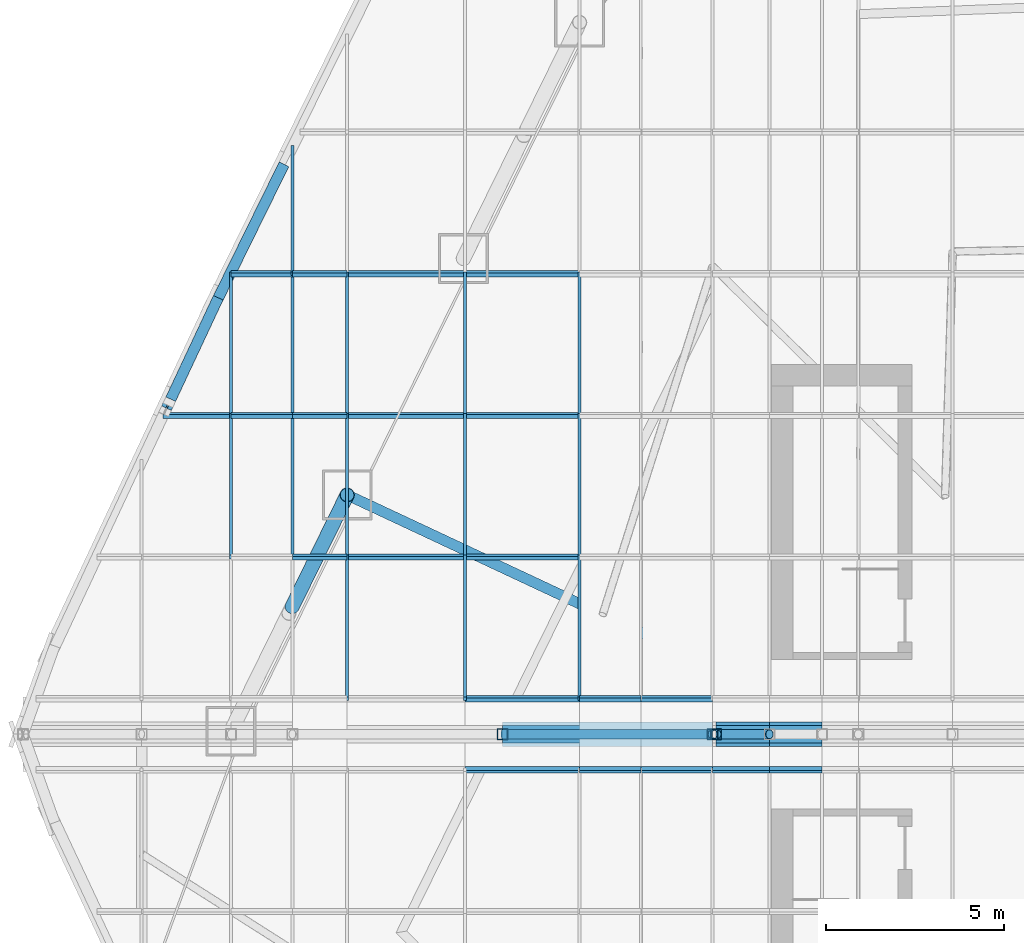
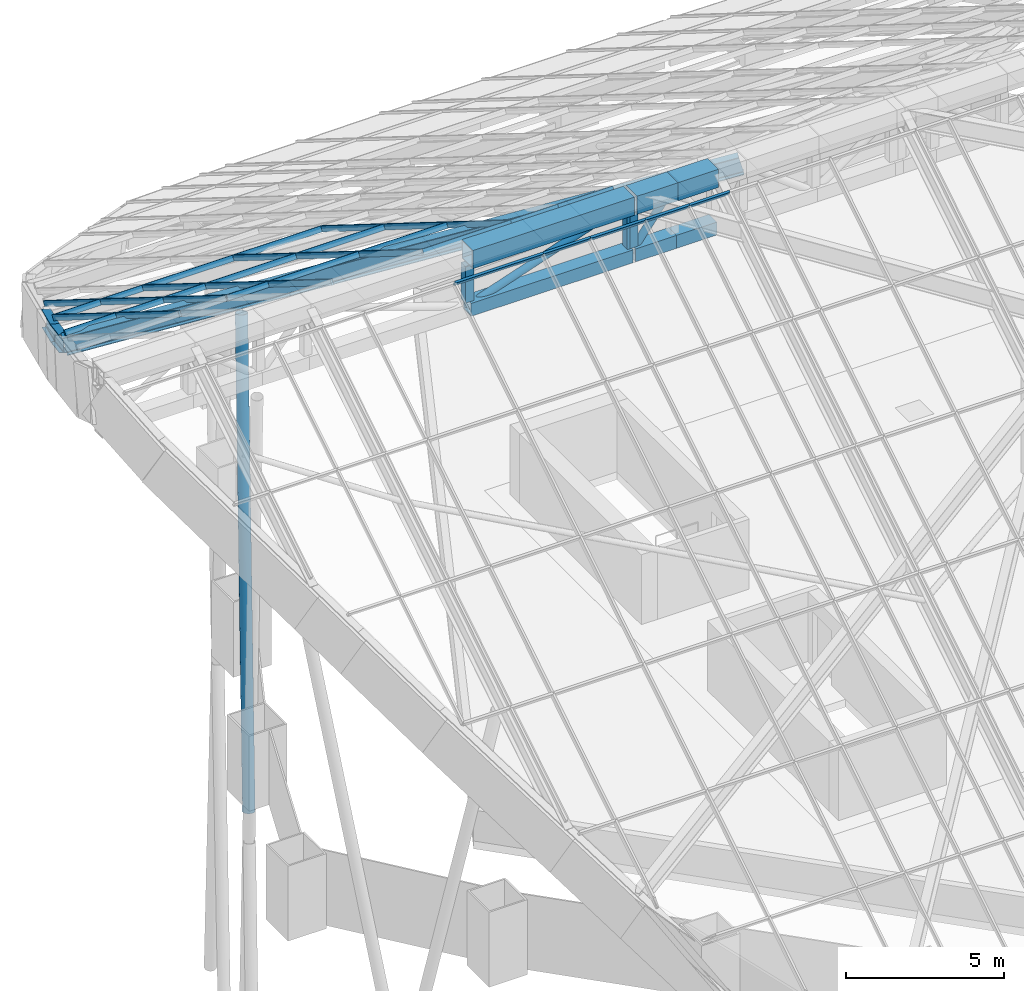
# One storey, part 12 of 38: 50 members, 21 elements without a shape of their own.
"""IFC4 building model written with IfcOpenShell, lengths in metres."""

from ifc_helpers import new_model, si_unit, direction, frame, origin, origin_2d, place, context, subcontext, project, spatial, rectangle, hollow_rectangle, hollow_circle, i_section, extrude, material, layer, layer_set, material_profile, profile_set, type_object, element, aggregate, save


model = new_model("IFC4")

# Units and contexts
model_context = context("Model", 3, precision=1e-05, world=origin(), true_north=direction((0.0, 1.0)))
body_context = subcontext(model_context, "Body", "Model", "MODEL_VIEW")
ifc_project = project(units=[si_unit("LENGTHUNIT", "METRE"), si_unit("AREAUNIT", "SQUARE_METRE"), si_unit("VOLUMEUNIT", "CUBIC_METRE"), si_unit("PLANEANGLEUNIT", "RADIAN"), si_unit("MASSUNIT", "GRAM", prefix="KILO")], contexts=[model_context])

# Site, building, storey
site_placement = place(None, origin())
site = spatial("IfcSite", under=ifc_project, at=site_placement, CompositionType="ELEMENT")
building_placement = place(site_placement, origin())
building = spatial("IfcBuilding", under=site, at=building_placement, Name="Dongbaek Canopy Tower", CompositionType="ELEMENT")
storey_placement = place(building_placement, frame((0.0, 0.0, 375.800048828125)))
storey = spatial("IfcBuildingStorey", under=building, at=storey_placement, Name="Roof", CompositionType="ELEMENT", Elevation=375.800048828125)

# Member
ifc_material_1 = material(Name="Steel S355", Category="steel")
ifc_material_profile_1 = material_profile(ifc_material_1, hollow_circle(Radius=0.203125, WallThickness=0.0126953125, at=origin_2d()), Name="COLONNADE BRACE CHS 406.4x12.7 Steel S355")
ifc_profile_set_1 = profile_set([ifc_material_profile_1], Name="Steel S355")
member_type_1 = type_object("IfcMemberType", Name="COLONNADE BRACE CHS 406.4x12.7 Steel S355", PredefinedType="BRACE", material=ifc_profile_set_1)
member_1_placement = place(storey_placement, frame((-25.346923828125, 6.735107421875, 13.443359375), z_axis=(-0.089821760703, -0.182638526385, -0.979068547132), x_axis=(0.897350871643, -0.441317814235, 0.0)))
element("IfcMember", 1, at=member_1_placement, inside=storey, type_object=member_type_1, Name="XBRACE:24:2", PredefinedType="BRACE", context=body_context, shape_type="SweptSolid", body=[
    extrude(hollow_circle(Radius=0.203125, WallThickness=0.0126953125, at=origin_2d()), origin(), (0.0, 0.0, 1.0), 17.199951171875),
])

# Curtain wall, member
ifc_material_2 = material(Name="Aluminium 6063-T6 pale anodised", Category="aluminium")
ifc_layer = layer(ifc_material_2, 0.199951171875)
ifc_layer_set = layer_set([ifc_layer], Name="CW-6 canopy glazing curtain wall")
curtain_wall_type = type_object("IfcCurtainWallType", Name="CW-6 canopy glazing curtain wall", PredefinedType="NOTDEFINED", material=ifc_layer_set)
curtain_wall_1_placement = place(storey_placement, origin())
curtain_wall_1 = element("IfcCurtainWall", 2, at=curtain_wall_1_placement, inside=storey, type_object=curtain_wall_type, Name="CW-6 canopy glazing north 2.2", PredefinedType="NOTDEFINED")
ifc_material_3 = material(Name="Aluminium 6063-T6 pale anodised", Category="aluminium")
ifc_material_profile_2 = material_profile(ifc_material_3, rectangle(XDim=0.080078125, YDim=0.199951171875, at=origin_2d()), Name="CW-6 mullion 80 x 200")
ifc_profile_set_2 = profile_set([ifc_material_profile_2], Name="Aluminium 6063-T6 pale anodised")
member_type_2 = type_object("IfcMemberType", Name="CW-6 mullion 80 x 200", PredefinedType="MULLION", material=ifc_profile_set_2)
member_2_placement = place(storey_placement, frame((-28.616943359375, 4.986328125, 15.60791015625), z_axis=(0.0, 0.848030400431, -0.529947582262), x_axis=(-1.0, 0.0, 0.0)))
member_2 = element("IfcMember", 3, at=member_2_placement, type_object=member_type_2, Name="CW-6 mullion N2.2.-28.6", PredefinedType="MULLION", context=body_context, shape_type="SweptSolid", body=[
    extrude(rectangle(XDim=0.080078125, YDim=0.199951171875, at=origin_2d()), origin(), (0.0, 0.0, 1.0), 4.700439453125),
])

curtain_wall_2_placement = place(storey_placement, origin())
curtain_wall_2 = element("IfcCurtainWall", 4, at=curtain_wall_2_placement, inside=storey, type_object=curtain_wall_type, Name="CW-6 canopy glazing north 2.3", PredefinedType="NOTDEFINED")
member_3_placement = place(storey_placement, frame((-28.616943359375, 8.972412109375, 13.116943359375), z_axis=(0.0, 0.848068327403, -0.529886886095), x_axis=(-1.0, 0.0, 0.0)))
member_3 = element("IfcMember", 5, at=member_3_placement, type_object=member_type_2, Name="CW-6 mullion N2.3.-28.6", PredefinedType="MULLION", context=body_context, shape_type="SweptSolid", body=[
    extrude(rectangle(XDim=0.080078125, YDim=0.199951171875, at=origin_2d()), origin(), (0.0, 0.0, 1.0), 4.700439453125),
])
aggregate(curtain_wall_2, [member_3])

curtain_wall_3_placement = place(storey_placement, origin())
curtain_wall_3 = element("IfcCurtainWall", 6, at=curtain_wall_3_placement, inside=storey, type_object=curtain_wall_type, Name="CW-6 canopy glazing north 3.2", PredefinedType="NOTDEFINED")
member_4_placement = place(storey_placement, frame((-26.888916015625, 4.986328125, 15.60791015625), z_axis=(0.0, 0.848030400431, -0.529947582262), x_axis=(-1.0, 0.0, 0.0)))
member_4 = element("IfcMember", 7, at=member_4_placement, type_object=member_type_2, Name="CW-6 mullion N3.2.-26.9", PredefinedType="MULLION", context=body_context, shape_type="SweptSolid", body=[
    extrude(rectangle(XDim=0.080078125, YDim=0.199951171875, at=origin_2d()), origin(), (0.0, 0.0, 1.0), 4.700439453125),
])

curtain_wall_4_placement = place(storey_placement, origin())
curtain_wall_4 = element("IfcCurtainWall", 8, at=curtain_wall_4_placement, inside=storey, type_object=curtain_wall_type, Name="CW-6 canopy glazing north 3.3", PredefinedType="NOTDEFINED")
member_5_placement = place(storey_placement, frame((-26.888916015625, 8.972412109375, 13.116943359375), z_axis=(0.0, 0.848068327403, -0.529886886095), x_axis=(-1.0, 0.0, 0.0)))
member_5 = element("IfcMember", 9, at=member_5_placement, type_object=member_type_2, Name="CW-6 mullion N3.3.-26.9", PredefinedType="MULLION", context=body_context, shape_type="SweptSolid", body=[
    extrude(rectangle(XDim=0.080078125, YDim=0.199951171875, at=origin_2d()), origin(), (0.0, 0.0, 1.0), 4.700439453125),
])

curtain_wall_5_placement = place(storey_placement, origin())
curtain_wall_5 = element("IfcCurtainWall", 10, at=curtain_wall_5_placement, inside=storey, type_object=curtain_wall_type, Name="CW-6 canopy glazing north 3.4", PredefinedType="NOTDEFINED")
member_6_placement = place(storey_placement, frame((-26.888916015625, 12.958740234375, 10.626220703125), z_axis=(0.0, 0.848040836517, -0.529930881908), x_axis=(-1.0, 0.0, 0.0)))
member_6 = element("IfcMember", 11, at=member_6_placement, type_object=member_type_2, Name="CW-6 mullion N3.4.-26.9", PredefinedType="MULLION", context=body_context, shape_type="SweptSolid", body=[
    extrude(rectangle(XDim=0.080078125, YDim=0.199951171875, at=origin_2d()), origin(), (0.0, 0.0, 1.0), 4.19189453125),
])
aggregate(curtain_wall_5, [member_6])

curtain_wall_6_placement = place(storey_placement, origin())
curtain_wall_6 = element("IfcCurtainWall", 12, at=curtain_wall_6_placement, inside=storey, type_object=curtain_wall_type, Name="CW-6 canopy glazing north 4.1", PredefinedType="NOTDEFINED")
member_7_placement = place(storey_placement, frame((-25.346923828125, 1.0, 18.0986328125), z_axis=(0.0, 0.848068327403, -0.529886886095), x_axis=(-1.0, 0.0, 0.0)))
member_7 = element("IfcMember", 13, at=member_7_placement, type_object=member_type_2, Name="CW-6 mullion N4.1.-25.3", PredefinedType="MULLION", context=body_context, shape_type="SweptSolid", body=[
    extrude(rectangle(XDim=0.080078125, YDim=0.199951171875, at=origin_2d()), origin(), (0.0, 0.0, 1.0), 4.700439453125),
])

curtain_wall_7_placement = place(storey_placement, origin())
curtain_wall_7 = element("IfcCurtainWall", 14, at=curtain_wall_7_placement, inside=storey, type_object=curtain_wall_type, Name="CW-6 canopy glazing north 4.2", PredefinedType="NOTDEFINED")
member_8_placement = place(storey_placement, frame((-25.346923828125, 4.986328125, 15.60791015625), z_axis=(0.0, 0.848030400431, -0.529947582262), x_axis=(-1.0, 0.0, 0.0)))
member_8 = element("IfcMember", 15, at=member_8_placement, type_object=member_type_2, Name="CW-6 mullion N4.2.-25.3", PredefinedType="MULLION", context=body_context, shape_type="SweptSolid", body=[
    extrude(rectangle(XDim=0.080078125, YDim=0.199951171875, at=origin_2d()), origin(), (0.0, 0.0, 1.0), 4.700439453125),
])

curtain_wall_8_placement = place(storey_placement, origin())
curtain_wall_8 = element("IfcCurtainWall", 16, at=curtain_wall_8_placement, inside=storey, type_object=curtain_wall_type, Name="CW-6 canopy glazing north 4.3", PredefinedType="NOTDEFINED")
member_9_placement = place(storey_placement, frame((-25.346923828125, 8.972412109375, 13.116943359375), z_axis=(0.0, 0.848068327403, -0.529886886095), x_axis=(-1.0, 0.0, 0.0)))
member_9 = element("IfcMember", 17, at=member_9_placement, type_object=member_type_2, Name="CW-6 mullion N4.3.-25.3", PredefinedType="MULLION", context=body_context, shape_type="SweptSolid", body=[
    extrude(rectangle(XDim=0.080078125, YDim=0.199951171875, at=origin_2d()), origin(), (0.0, 0.0, 1.0), 4.700439453125),
])

curtain_wall_9_placement = place(storey_placement, origin())
curtain_wall_9 = element("IfcCurtainWall", 18, at=curtain_wall_9_placement, inside=storey, type_object=curtain_wall_type, Name="CW-6 canopy glazing north 5.1", PredefinedType="NOTDEFINED")
member_10_placement = place(storey_placement, frame((-22.031005859375, 1.0, 18.0986328125), z_axis=(0.0, 0.848068327403, -0.529886886095), x_axis=(-1.0, 0.0, 0.0)))
member_10 = element("IfcMember", 19, at=member_10_placement, type_object=member_type_2, Name="CW-6 mullion N5.1.-22.0", PredefinedType="MULLION", context=body_context, shape_type="SweptSolid", body=[
    extrude(rectangle(XDim=0.080078125, YDim=0.199951171875, at=origin_2d()), origin(), (0.0, 0.0, 1.0), 4.700439453125),
])

curtain_wall_10_placement = place(storey_placement, origin())
curtain_wall_10 = element("IfcCurtainWall", 20, at=curtain_wall_10_placement, inside=storey, type_object=curtain_wall_type, Name="CW-6 canopy glazing north 5.2", PredefinedType="NOTDEFINED")
member_11_placement = place(storey_placement, frame((-22.031005859375, 4.986328125, 15.60791015625), z_axis=(0.0, 0.848030400431, -0.529947582262), x_axis=(-1.0, 0.0, 0.0)))
member_11 = element("IfcMember", 21, at=member_11_placement, type_object=member_type_2, Name="CW-6 mullion N5.2.-22.0", PredefinedType="MULLION", context=body_context, shape_type="SweptSolid", body=[
    extrude(rectangle(XDim=0.080078125, YDim=0.199951171875, at=origin_2d()), origin(), (0.0, 0.0, 1.0), 4.700439453125),
])

curtain_wall_11_placement = place(storey_placement, origin())
curtain_wall_11 = element("IfcCurtainWall", 22, at=curtain_wall_11_placement, inside=storey, type_object=curtain_wall_type, Name="CW-6 canopy glazing north 5.3", PredefinedType="NOTDEFINED")
member_12_placement = place(storey_placement, frame((-22.031005859375, 8.972412109375, 13.116943359375), z_axis=(0.0, 0.848068327403, -0.529886886095), x_axis=(-1.0, 0.0, 0.0)))
member_12 = element("IfcMember", 23, at=member_12_placement, type_object=member_type_2, Name="CW-6 mullion N5.3.-22.0", PredefinedType="MULLION", context=body_context, shape_type="SweptSolid", body=[
    extrude(rectangle(XDim=0.080078125, YDim=0.199951171875, at=origin_2d()), origin(), (0.0, 0.0, 1.0), 4.700439453125),
])

curtain_wall_12_placement = place(storey_placement, origin())
curtain_wall_12 = element("IfcCurtainWall", 24, at=curtain_wall_12_placement, inside=storey, type_object=curtain_wall_type, Name="CW-6 canopy glazing north 6.1", PredefinedType="NOTDEFINED")
member_13_placement = place(storey_placement, frame((-18.805908203125, 1.0, 18.0986328125), z_axis=(0.0, 0.848068327403, -0.529886886095), x_axis=(-1.0, 0.0, 0.0)))
member_13 = element("IfcMember", 25, at=member_13_placement, type_object=member_type_2, Name="CW-6 mullion N6.1.-18.8", PredefinedType="MULLION", context=body_context, shape_type="SweptSolid", body=[
    extrude(rectangle(XDim=0.080078125, YDim=0.199951171875, at=origin_2d()), origin(), (0.0, 0.0, 1.0), 4.700439453125),
])

curtain_wall_13_placement = place(storey_placement, origin())
curtain_wall_13 = element("IfcCurtainWall", 26, at=curtain_wall_13_placement, inside=storey, type_object=curtain_wall_type, Name="CW-6 canopy glazing north 6.2", PredefinedType="NOTDEFINED")
member_14_placement = place(storey_placement, frame((-18.805908203125, 4.986328125, 15.60791015625), z_axis=(0.0, 0.848030400431, -0.529947582262), x_axis=(-1.0, 0.0, 0.0)))
member_14 = element("IfcMember", 27, at=member_14_placement, type_object=member_type_2, Name="CW-6 mullion N6.2.-18.8", PredefinedType="MULLION", context=body_context, shape_type="SweptSolid", body=[
    extrude(rectangle(XDim=0.080078125, YDim=0.199951171875, at=origin_2d()), origin(), (0.0, 0.0, 1.0), 4.700439453125),
])

curtain_wall_14_placement = place(storey_placement, origin())
curtain_wall_14 = element("IfcCurtainWall", 28, at=curtain_wall_14_placement, inside=storey, type_object=curtain_wall_type, Name="CW-6 canopy glazing north 6.3", PredefinedType="NOTDEFINED")
member_15_placement = place(storey_placement, frame((-18.805908203125, 8.972412109375, 13.116943359375), z_axis=(0.0, 0.848068327403, -0.529886886095), x_axis=(-1.0, 0.0, 0.0)))
member_15 = element("IfcMember", 29, at=member_15_placement, type_object=member_type_2, Name="CW-6 mullion N6.3.-18.8", PredefinedType="MULLION", context=body_context, shape_type="SweptSolid", body=[
    extrude(rectangle(XDim=0.080078125, YDim=0.199951171875, at=origin_2d()), origin(), (0.0, 0.0, 1.0), 4.700439453125),
])

# Member
ifc_material_4 = material(Name="Aluminium 6063-T6 pale anodised", Category="aluminium")
ifc_material_profile_3 = material_profile(ifc_material_4, rectangle(XDim=0.080078125, YDim=0.199951171875, at=origin_2d()), Name="CW-6 transom 80 x 200")
ifc_profile_set_3 = profile_set([ifc_material_profile_3], Name="Aluminium 6063-T6 pale anodised")
member_type_3 = type_object("IfcMemberType", Name="CW-6 transom 80 x 200", PredefinedType="USERDEFINED", material=ifc_profile_set_3)
member_16_placement = place(storey_placement, frame((-30.523681640625, 8.972412109375, 13.116943359375), z_axis=(1.0, 0.0, 0.0), x_axis=(0.0, 0.848048096156, -0.529919264233)))
member_16 = element("IfcMember", 30, at=member_16_placement, type_object=member_type_3, Name="CW-6 transom N2.2.3", ObjectType="TRANSOM", PredefinedType="USERDEFINED", context=body_context, shape_type="SweptSolid", body=[
    extrude(rectangle(XDim=0.080078125, YDim=0.199951171875, at=origin_2d()), origin(), (0.0, 0.0, 1.0), 1.90673828125),
])

aggregate(curtain_wall_1, [member_2, member_16])

member_17_placement = place(storey_placement, frame((-28.616943359375, 8.972412109375, 13.116943359375), z_axis=(1.0, 0.0, 0.0), x_axis=(0.0, 0.848048096156, -0.529919264233)))
member_17 = element("IfcMember", 31, at=member_17_placement, type_object=member_type_3, Name="CW-6 transom N3.2.3", ObjectType="TRANSOM", PredefinedType="USERDEFINED", context=body_context, shape_type="SweptSolid", body=[
    extrude(rectangle(XDim=0.080078125, YDim=0.199951171875, at=origin_2d()), origin(), (0.0, 0.0, 1.0), 1.72802734375),
])

aggregate(curtain_wall_3, [member_4, member_17])

member_18_placement = place(storey_placement, frame((-28.616943359375, 12.958740234375, 10.626220703125), z_axis=(1.0, 0.0, 0.0), x_axis=(0.0, 0.848048096156, -0.529919264233)))
member_18 = element("IfcMember", 32, at=member_18_placement, type_object=member_type_3, Name="CW-6 transom N3.3.4", ObjectType="TRANSOM", PredefinedType="USERDEFINED", context=body_context, shape_type="SweptSolid", body=[
    extrude(rectangle(XDim=0.080078125, YDim=0.199951171875, at=origin_2d()), origin(), (0.0, 0.0, 1.0), 1.72802734375),
])

aggregate(curtain_wall_4, [member_5, member_18])

member_19_placement = place(storey_placement, frame((-26.888916015625, 4.986328125, 15.60791015625), z_axis=(1.0, 0.0, 0.0), x_axis=(0.0, 0.848048096156, -0.529919264233)))
member_19 = element("IfcMember", 33, at=member_19_placement, type_object=member_type_3, Name="CW-6 transom N4.1.2", ObjectType="TRANSOM", PredefinedType="USERDEFINED", context=body_context, shape_type="SweptSolid", body=[
    extrude(rectangle(XDim=0.080078125, YDim=0.199951171875, at=origin_2d()), origin(), (0.0, 0.0, 1.0), 1.5419921875),
])

aggregate(curtain_wall_6, [member_7, member_19])

member_20_placement = place(storey_placement, frame((-26.888916015625, 8.972412109375, 13.116943359375), z_axis=(1.0, 0.0, 0.0), x_axis=(0.0, 0.848048096156, -0.529919264233)))
member_20 = element("IfcMember", 34, at=member_20_placement, type_object=member_type_3, Name="CW-6 transom N4.2.3", ObjectType="TRANSOM", PredefinedType="USERDEFINED", context=body_context, shape_type="SweptSolid", body=[
    extrude(rectangle(XDim=0.080078125, YDim=0.199951171875, at=origin_2d()), origin(), (0.0, 0.0, 1.0), 1.5419921875),
])

aggregate(curtain_wall_7, [member_8, member_20])

member_21_placement = place(storey_placement, frame((-26.888916015625, 12.958740234375, 10.626220703125), z_axis=(1.0, 0.0, 0.0), x_axis=(0.0, 0.848048096156, -0.529919264233)))
member_21 = element("IfcMember", 35, at=member_21_placement, type_object=member_type_3, Name="CW-6 transom N4.3.4", ObjectType="TRANSOM", PredefinedType="USERDEFINED", context=body_context, shape_type="SweptSolid", body=[
    extrude(rectangle(XDim=0.080078125, YDim=0.199951171875, at=origin_2d()), origin(), (0.0, 0.0, 1.0), 1.5419921875),
])

aggregate(curtain_wall_8, [member_9, member_21])

member_22_placement = place(storey_placement, frame((-25.346923828125, 4.986328125, 15.60791015625), z_axis=(1.0, 0.0, 0.0), x_axis=(0.0, 0.848048096156, -0.529919264233)))
member_22 = element("IfcMember", 36, at=member_22_placement, type_object=member_type_3, Name="CW-6 transom N5.1.2", ObjectType="TRANSOM", PredefinedType="USERDEFINED", context=body_context, shape_type="SweptSolid", body=[
    extrude(rectangle(XDim=0.080078125, YDim=0.199951171875, at=origin_2d()), origin(), (0.0, 0.0, 1.0), 3.31591796875),
])

aggregate(curtain_wall_9, [member_10, member_22])

member_23_placement = place(storey_placement, frame((-25.346923828125, 8.972412109375, 13.116943359375), z_axis=(1.0, 0.0, 0.0), x_axis=(0.0, 0.848048096156, -0.529919264233)))
member_23 = element("IfcMember", 37, at=member_23_placement, type_object=member_type_3, Name="CW-6 transom N5.2.3", ObjectType="TRANSOM", PredefinedType="USERDEFINED", context=body_context, shape_type="SweptSolid", body=[
    extrude(rectangle(XDim=0.080078125, YDim=0.199951171875, at=origin_2d()), origin(), (0.0, 0.0, 1.0), 3.31591796875),
])

aggregate(curtain_wall_10, [member_11, member_23])

member_24_placement = place(storey_placement, frame((-25.346923828125, 12.958740234375, 10.626220703125), z_axis=(1.0, 0.0, 0.0), x_axis=(0.0, 0.848048096156, -0.529919264233)))
member_24 = element("IfcMember", 38, at=member_24_placement, type_object=member_type_3, Name="CW-6 transom N5.3.4", ObjectType="TRANSOM", PredefinedType="USERDEFINED", context=body_context, shape_type="SweptSolid", body=[
    extrude(rectangle(XDim=0.080078125, YDim=0.199951171875, at=origin_2d()), origin(), (0.0, 0.0, 1.0), 3.31591796875),
])

aggregate(curtain_wall_11, [member_12, member_24])

member_25_placement = place(storey_placement, frame((-22.031005859375, 1.0, 18.0986328125), z_axis=(1.0, 0.0, 0.0), x_axis=(0.0, 0.848048096156, -0.529919264233)))
member_25 = element("IfcMember", 39, at=member_25_placement, type_object=member_type_3, Name="CW-6 transom N6.1.1", ObjectType="TRANSOM", PredefinedType="USERDEFINED", context=body_context, shape_type="SweptSolid", body=[
    extrude(rectangle(XDim=0.080078125, YDim=0.199951171875, at=origin_2d()), origin(), (0.0, 0.0, 1.0), 3.22509765625),
])

member_26_placement = place(storey_placement, frame((-22.031005859375, 4.986328125, 15.60791015625), z_axis=(1.0, 0.0, 0.0), x_axis=(0.0, 0.848048096156, -0.529919264233)))
member_26 = element("IfcMember", 40, at=member_26_placement, type_object=member_type_3, Name="CW-6 transom N6.1.2", ObjectType="TRANSOM", PredefinedType="USERDEFINED", context=body_context, shape_type="SweptSolid", body=[
    extrude(rectangle(XDim=0.080078125, YDim=0.199951171875, at=origin_2d()), origin(), (0.0, 0.0, 1.0), 3.22509765625),
])

aggregate(curtain_wall_12, [member_13, member_25, member_26])

member_27_placement = place(storey_placement, frame((-22.031005859375, 8.972412109375, 13.116943359375), z_axis=(1.0, 0.0, 0.0), x_axis=(0.0, 0.848048096156, -0.529919264233)))
member_27 = element("IfcMember", 41, at=member_27_placement, type_object=member_type_3, Name="CW-6 transom N6.2.3", ObjectType="TRANSOM", PredefinedType="USERDEFINED", context=body_context, shape_type="SweptSolid", body=[
    extrude(rectangle(XDim=0.080078125, YDim=0.199951171875, at=origin_2d()), origin(), (0.0, 0.0, 1.0), 3.22509765625),
])

aggregate(curtain_wall_13, [member_14, member_27])

member_28_placement = place(storey_placement, frame((-22.031005859375, 12.958740234375, 10.626220703125), z_axis=(1.0, 0.0, 0.0), x_axis=(0.0, 0.848048096156, -0.529919264233)))
member_28 = element("IfcMember", 42, at=member_28_placement, type_object=member_type_3, Name="CW-6 transom N6.3.4", ObjectType="TRANSOM", PredefinedType="USERDEFINED", context=body_context, shape_type="SweptSolid", body=[
    extrude(rectangle(XDim=0.080078125, YDim=0.199951171875, at=origin_2d()), origin(), (0.0, 0.0, 1.0), 3.22509765625),
])

aggregate(curtain_wall_14, [member_15, member_28])

# Curtain wall, member
curtain_wall_15_placement = place(storey_placement, origin())
curtain_wall_15 = element("IfcCurtainWall", 43, at=curtain_wall_15_placement, inside=storey, type_object=curtain_wall_type, Name="CW-6 canopy glazing north 7.1", PredefinedType="NOTDEFINED")
member_29_placement = place(storey_placement, frame((-18.805908203125, 1.0, 18.0986328125), z_axis=(1.0, 0.0, 0.0), x_axis=(0.0, 0.848048096156, -0.529919264233)))
member_29 = element("IfcMember", 44, at=member_29_placement, type_object=member_type_3, Name="CW-6 transom N7.1.1", ObjectType="TRANSOM", PredefinedType="USERDEFINED", context=body_context, shape_type="SweptSolid", body=[
    extrude(rectangle(XDim=0.080078125, YDim=0.199951171875, at=origin_2d()), origin(), (0.0, 0.0, 1.0), 1.721923828125),
])
aggregate(curtain_wall_15, [member_29])

curtain_wall_16_placement = place(storey_placement, origin())
curtain_wall_16 = element("IfcCurtainWall", 45, at=curtain_wall_16_placement, inside=storey, type_object=curtain_wall_type, Name="CW-6 canopy glazing north 8.1", PredefinedType="NOTDEFINED")
member_30_placement = place(storey_placement, frame((-17.083984375, 1.0, 18.0986328125), z_axis=(1.0, 0.0, 0.0), x_axis=(0.0, 0.848048096156, -0.529919264233)))
member_30 = element("IfcMember", 46, at=member_30_placement, type_object=member_type_3, Name="CW-6 transom N8.1.1", ObjectType="TRANSOM", PredefinedType="USERDEFINED", context=body_context, shape_type="SweptSolid", body=[
    extrude(rectangle(XDim=0.080078125, YDim=0.199951171875, at=origin_2d()), origin(), (0.0, 0.0, 1.0), 2.02197265625),
])
aggregate(curtain_wall_16, [member_30])

curtain_wall_17_placement = place(storey_placement, origin())
curtain_wall_17 = element("IfcCurtainWall", 47, at=curtain_wall_17_placement, inside=storey, type_object=curtain_wall_type, Name="CW-6 canopy glazing south 6.1", PredefinedType="NOTDEFINED")
member_31_placement = place(storey_placement, frame((-22.031005859375, -1.0, 18.0986328125), z_axis=(1.0, 0.0, 0.0), x_axis=(0.0, 0.848048096156, 0.529919264233)))
member_31 = element("IfcMember", 48, at=member_31_placement, type_object=member_type_3, Name="CW-6 transom S6.1.1", ObjectType="TRANSOM", PredefinedType="USERDEFINED", context=body_context, shape_type="SweptSolid", body=[
    extrude(rectangle(XDim=0.080078125, YDim=0.199951171875, at=origin_2d()), origin(), (0.0, 0.0, 1.0), 3.22509765625),
])
aggregate(curtain_wall_17, [member_31])

curtain_wall_18_placement = place(storey_placement, origin())
curtain_wall_18 = element("IfcCurtainWall", 49, at=curtain_wall_18_placement, inside=storey, type_object=curtain_wall_type, Name="CW-6 canopy glazing south 7.1", PredefinedType="NOTDEFINED")
member_32_placement = place(storey_placement, frame((-18.805908203125, -1.0, 18.0986328125), z_axis=(1.0, 0.0, 0.0), x_axis=(0.0, 0.848048096156, 0.529919264233)))
member_32 = element("IfcMember", 50, at=member_32_placement, type_object=member_type_3, Name="CW-6 transom S7.1.1", ObjectType="TRANSOM", PredefinedType="USERDEFINED", context=body_context, shape_type="SweptSolid", body=[
    extrude(rectangle(XDim=0.080078125, YDim=0.199951171875, at=origin_2d()), origin(), (0.0, 0.0, 1.0), 1.721923828125),
])
aggregate(curtain_wall_18, [member_32])

curtain_wall_19_placement = place(storey_placement, origin())
curtain_wall_19 = element("IfcCurtainWall", 51, at=curtain_wall_19_placement, inside=storey, type_object=curtain_wall_type, Name="CW-6 canopy glazing south 8.1", PredefinedType="NOTDEFINED")
member_33_placement = place(storey_placement, frame((-17.083984375, -1.0, 18.0986328125), z_axis=(1.0, 0.0, 0.0), x_axis=(0.0, 0.848048096156, 0.529919264233)))
member_33 = element("IfcMember", 52, at=member_33_placement, type_object=member_type_3, Name="CW-6 transom S8.1.1", ObjectType="TRANSOM", PredefinedType="USERDEFINED", context=body_context, shape_type="SweptSolid", body=[
    extrude(rectangle(XDim=0.080078125, YDim=0.199951171875, at=origin_2d()), origin(), (0.0, 0.0, 1.0), 2.02197265625),
])
aggregate(curtain_wall_19, [member_33])

curtain_wall_20_placement = place(storey_placement, origin())
curtain_wall_20 = element("IfcCurtainWall", 53, at=curtain_wall_20_placement, inside=storey, type_object=curtain_wall_type, Name="CW-6 canopy glazing south 9.1", PredefinedType="NOTDEFINED")
member_34_placement = place(storey_placement, frame((-15.06201171875, -1.0, 18.0986328125), z_axis=(1.0, 0.0, 0.0), x_axis=(0.0, 0.848048096156, 0.529919264233)))
member_34 = element("IfcMember", 54, at=member_34_placement, type_object=member_type_3, Name="CW-6 transom S9.1.1", ObjectType="TRANSOM", PredefinedType="USERDEFINED", context=body_context, shape_type="SweptSolid", body=[
    extrude(rectangle(XDim=0.080078125, YDim=0.199951171875, at=origin_2d()), origin(), (0.0, 0.0, 1.0), 1.597412109375),
])
aggregate(curtain_wall_20, [member_34])

curtain_wall_21_placement = place(storey_placement, origin())
curtain_wall_21 = element("IfcCurtainWall", 55, at=curtain_wall_21_placement, inside=storey, type_object=curtain_wall_type, Name="CW-6 canopy glazing south 10.1", PredefinedType="NOTDEFINED")
member_35_placement = place(storey_placement, frame((-13.464599609375, -1.0, 18.0986328125), z_axis=(1.0, 0.0, 0.0), x_axis=(0.0, 0.848048096156, 0.529919264233)))
member_35 = element("IfcMember", 56, at=member_35_placement, type_object=member_type_3, Name="CW-6 transom S10.1.1", ObjectType="TRANSOM", PredefinedType="USERDEFINED", context=body_context, shape_type="SweptSolid", body=[
    extrude(rectangle(XDim=0.080078125, YDim=0.199951171875, at=origin_2d()), origin(), (0.0, 0.0, 1.0), 1.4794921875),
])
aggregate(curtain_wall_21, [member_35])

# Members
ifc_material_5 = material(Name="Steel S355", Category="steel")
ifc_material_profile_4 = material_profile(ifc_material_5, i_section(OverallWidth=0.300048828125, OverallDepth=0.587890625, WebThickness=0.011962890625, FlangeThickness=0.02001953125, FilletRadius=0.028076171875, at=origin_2d()), Name="EAVES BEAM H 588x300x12x20 Steel S355")
ifc_profile_set_4 = profile_set([ifc_material_profile_4], Name="Steel S355")
member_type_4 = type_object("IfcMemberType", Name="EAVES BEAM H 588x300x12x20 Steel S355", PredefinedType="MEMBER", material=ifc_profile_set_4)
member_36_placement = place(storey_placement, frame((-27.187255859375, 15.9072265625, 8.311767578125), z_axis=(-0.385028708012, -0.782672968883, 0.489056149931), x_axis=(0.897301119296, -0.44141896347, 0.0)))
element("IfcMember", 57, at=member_36_placement, inside=storey, type_object=member_type_4, Name="EAVE:57", PredefinedType="MEMBER", context=body_context, shape_type="SweptSolid", body=[
    extrude(i_section(OverallWidth=0.300048828125, OverallDepth=0.587890625, WebThickness=0.011962890625, FlangeThickness=0.02001953125, FilletRadius=0.028076171875, at=origin_2d()), origin(), (0.0, 0.0, 1.0), 4.79931640625),
])
member_37_placement = place(storey_placement, frame((-29.03515625, 12.15087890625, 10.658935546875), z_axis=(-0.369130067428, -0.78813346878, 0.492532870689), x_axis=(0.905594674826, -0.42414417941, 0.0)))
element("IfcMember", 58, at=member_37_placement, inside=storey, type_object=member_type_4, Name="EAVE:58", PredefinedType="MEMBER", context=body_context, shape_type="SweptSolid", body=[
    extrude(i_section(OverallWidth=0.300048828125, OverallDepth=0.587890625, WebThickness=0.011962890625, FlangeThickness=0.02001953125, FilletRadius=0.028076171875, at=origin_2d()), origin(), (0.0, 0.0, 1.0), 3.62255859375),
])
ifc_material_6 = material(Name="Steel S355", Category="steel")
ifc_material_profile_5 = material_profile(ifc_material_6, i_section(OverallWidth=0.300048828125, OverallDepth=0.699951171875, WebThickness=0.012939453125, FlangeThickness=0.02392578125, FilletRadius=0.028076171875, at=origin_2d()), Name="RAFTER H 700x300x13x24 Steel S355")
ifc_profile_set_5 = profile_set([ifc_material_profile_5], Name="Steel S355")
member_type_5 = type_object("IfcMemberType", Name="RAFTER H 700x300x13x24 Steel S355", PredefinedType="RAFTER", material=ifc_profile_set_5)
member_38_placement = place(storey_placement, frame((-30.451904296875, 9.12548828125, 12.549560546875), z_axis=(0.875408240833, -0.409934969003, 0.25615177741), x_axis=(0.4240838593, 0.905622923894, 0.0)))
element("IfcMember", 59, at=member_38_placement, inside=storey, type_object=member_type_5, Name="RAFTER:13", PredefinedType="RAFTER", context=body_context, shape_type="SweptSolid", body=[
    extrude(i_section(OverallWidth=0.300048828125, OverallDepth=0.699951171875, WebThickness=0.012939453125, FlangeThickness=0.02392578125, FilletRadius=0.028076171875, at=origin_2d()), origin(), (0.0, 0.0, 1.0), 22.2607421875),
])
ifc_material_7 = material(Name="Steel S355", Category="steel")
ifc_material_profile_6 = material_profile(ifc_material_7, hollow_rectangle(XDim=0.699951171875, YDim=0.699951171875, WallThickness=0.035888671875, at=origin_2d()), Name="RIDGE BEAM BOX 700x700x36 Steel S355")
ifc_profile_set_6 = profile_set([ifc_material_profile_6], Name="Steel S355")
member_type_6 = type_object("IfcMemberType", Name="RIDGE BEAM BOX 700x700x36 Steel S355", PredefinedType="MEMBER", material=ifc_profile_set_6)
member_39_placement = place(storey_placement, frame((-20.9755859375, 0.0, 18.251708984375), z_axis=(1.0, 0.0, 0.0), x_axis=(0.0, 1.0, 0.0)))
element("IfcMember", 60, at=member_39_placement, inside=storey, type_object=member_type_6, Name="RIDGE:04", PredefinedType="MEMBER", context=body_context, shape_type="SweptSolid", body=[
    extrude(hollow_rectangle(XDim=0.699951171875, YDim=0.699951171875, WallThickness=0.035888671875, at=origin_2d()), origin(), (0.0, 0.0, 1.0), 5.91357421875),
])
member_40_placement = place(storey_placement, frame((-14.964599609375, 0.0, 18.251708984375), z_axis=(1.0, 0.0, 0.0), x_axis=(0.0, 1.0, 0.0)))
element("IfcMember", 61, at=member_40_placement, inside=storey, type_object=member_type_6, Name="RIDGE:06", PredefinedType="MEMBER", context=body_context, shape_type="SweptSolid", body=[
    extrude(hollow_rectangle(XDim=0.699951171875, YDim=0.699951171875, WallThickness=0.035888671875, at=origin_2d()), origin(), (0.0, 0.0, 1.0), 1.5),
])
member_41_placement = place(storey_placement, frame((-13.464599609375, 0.0, 18.251708984375), z_axis=(1.0, 0.0, 0.0), x_axis=(0.0, 1.0, 0.0)))
element("IfcMember", 62, at=member_41_placement, inside=storey, type_object=member_type_6, Name="RIDGE:07", PredefinedType="MEMBER", context=body_context, shape_type="SweptSolid", body=[
    extrude(hollow_rectangle(XDim=0.699951171875, YDim=0.699951171875, WallThickness=0.035888671875, at=origin_2d()), origin(), (0.0, 0.0, 1.0), 1.4794921875),
])
ifc_material_8 = material(Name="Steel S355", Category="steel")
ifc_material_profile_7 = material_profile(ifc_material_8, hollow_circle(Radius=0.1337890625, WallThickness=0.00927734375, at=origin_2d()), Name="RIDGE BRACE CHS 267.4x9.3 Steel S355")
ifc_profile_set_7 = profile_set([ifc_material_profile_7], Name="Steel S355")
member_type_7 = type_object("IfcMemberType", Name="RIDGE BRACE CHS 267.4x9.3 Steel S355", PredefinedType="BRACE", material=ifc_profile_set_7)
member_42_placement = place(storey_placement, frame((-20.9755859375, 0.0, 16.251708984375), z_axis=(0.947289760073, 0.0, 0.320378074251), x_axis=(0.0, 1.0, 0.0)))
element("IfcMember", 63, at=member_42_placement, inside=storey, type_object=member_type_7, Name="RIDGEBRACE:04", PredefinedType="BRACE", context=body_context, shape_type="SweptSolid", body=[
    extrude(hollow_circle(Radius=0.1337890625, WallThickness=0.00927734375, at=origin_2d()), origin(), (0.0, 0.0, 1.0), 6.24267578125),
])
member_43_placement = place(storey_placement, frame((-15.06201171875, 0.0, 18.251708984375), z_axis=(0.04864838508, 0.0, -0.998815966347), x_axis=(0.0, 1.0, 0.0)))
element("IfcMember", 64, at=member_43_placement, inside=storey, type_object=member_type_7, Name="RIDGEBRACE:05", PredefinedType="BRACE", context=body_context, shape_type="SweptSolid", body=[
    extrude(hollow_circle(Radius=0.1337890625, WallThickness=0.00927734375, at=origin_2d()), origin(), (0.0, 0.0, 1.0), 2.00244140625),
])
member_44_placement = place(storey_placement, frame((-14.964599609375, 0.0, 16.251708984375), z_axis=(0.6, 0.0, 0.8), x_axis=(0.0, 1.0, 0.0)))
element("IfcMember", 65, at=member_44_placement, inside=storey, type_object=member_type_7, Name="RIDGEBRACE:06", PredefinedType="BRACE", context=body_context, shape_type="SweptSolid", body=[
    extrude(hollow_circle(Radius=0.1337890625, WallThickness=0.00927734375, at=origin_2d()), origin(), (0.0, 0.0, 1.0), 2.5),
])
ifc_material_9 = material(Name="Steel S355", Category="steel")
ifc_material_profile_8 = material_profile(ifc_material_9, hollow_rectangle(XDim=0.5, YDim=0.5, WallThickness=0.030029296875, at=origin_2d()), Name="RIDGE LOWER CHORD BOX 500x500x30 Steel S355")
ifc_profile_set_8 = profile_set([ifc_material_profile_8], Name="Steel S355")
member_type_8 = type_object("IfcMemberType", Name="RIDGE LOWER CHORD BOX 500x500x30 Steel S355", PredefinedType="CHORD", material=ifc_profile_set_8)
member_45_placement = place(storey_placement, frame((-20.9755859375, 0.0, 16.251708984375), z_axis=(1.0, 0.0, 0.0), x_axis=(0.0, 1.0, 0.0)))
element("IfcMember", 66, at=member_45_placement, inside=storey, type_object=member_type_8, Name="RIDGELOW:04", PredefinedType="CHORD", context=body_context, shape_type="SweptSolid", body=[
    extrude(hollow_rectangle(XDim=0.5, YDim=0.5, WallThickness=0.030029296875, at=origin_2d()), origin(), (0.0, 0.0, 1.0), 5.91357421875),
])
member_46_placement = place(storey_placement, frame((-14.964599609375, 0.0, 16.251708984375), z_axis=(1.0, 0.0, 0.0), x_axis=(0.0, 1.0, 0.0)))
element("IfcMember", 67, at=member_46_placement, inside=storey, type_object=member_type_8, Name="RIDGELOW:06", PredefinedType="CHORD", context=body_context, shape_type="SweptSolid", body=[
    extrude(hollow_rectangle(XDim=0.5, YDim=0.5, WallThickness=0.030029296875, at=origin_2d()), origin(), (0.0, 0.0, 1.0), 1.5),
])
member_47_placement = place(storey_placement, frame((-13.464599609375, 0.0, 16.251708984375), z_axis=(1.0, 0.0, 0.0), x_axis=(0.0, 1.0, 0.0)))
element("IfcMember", 68, at=member_47_placement, inside=storey, type_object=member_type_8, Name="RIDGELOW:07", PredefinedType="CHORD", context=body_context, shape_type="SweptSolid", body=[
    extrude(hollow_rectangle(XDim=0.5, YDim=0.5, WallThickness=0.030029296875, at=origin_2d()), origin(), (0.0, 0.0, 1.0), 1.4794921875),
])
ifc_material_10 = material(Name="Steel S355", Category="steel")
ifc_material_profile_9 = material_profile(ifc_material_10, hollow_rectangle(XDim=0.300048828125, YDim=0.300048828125, WallThickness=0.011962890625, at=origin_2d()), Name="RIDGE POST SHS 300x300x12 Steel S355")
ifc_profile_set_9 = profile_set([ifc_material_profile_9], Name="Steel S355")
member_type_9 = type_object("IfcMemberType", Name="RIDGE POST SHS 300x300x12 Steel S355", PredefinedType="POST", material=ifc_profile_set_9)
for number, where, z_axis, x_axis, name in (
    (69, (-20.9755859375, 0.0, 16.501708984375), (0.0, 0.0, 1.0), (1.0, 0.0, 0.0), "RIDGEPOST:04"),
    (70, (-15.06201171875, 0.0, 16.501708984375), (0.0, 0.0, 1.0), (1.0, 0.0, 0.0), "RIDGEPOST:05"),
    (71, (-14.964599609375, 0.0, 16.501708984375), (0.0, 0.0, 1.0), (1.0, 0.0, 0.0), "RIDGEPOST:06"),
):
    element("IfcMember", number, at=place(storey_placement, frame(where, z_axis=z_axis, x_axis=x_axis)), inside=storey, type_object=member_type_9, Name=name, PredefinedType="POST", context=body_context, shape_type="SweptSolid", body=[
        extrude(hollow_rectangle(XDim=0.300048828125, YDim=0.300048828125, WallThickness=0.011962890625, at=origin_2d()), origin(), (0.0, 0.0, 1.0), 1.400146484375),
    ])

save(model, "model.ifc")
